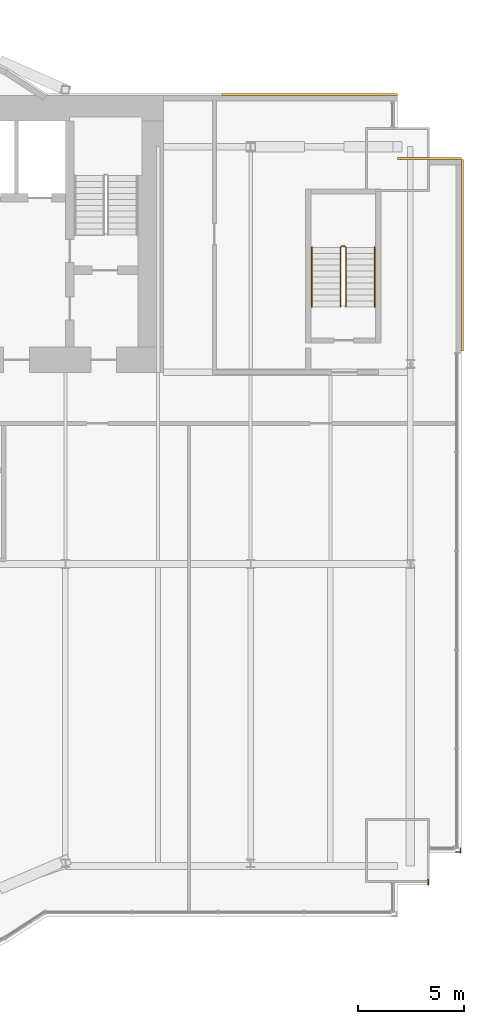
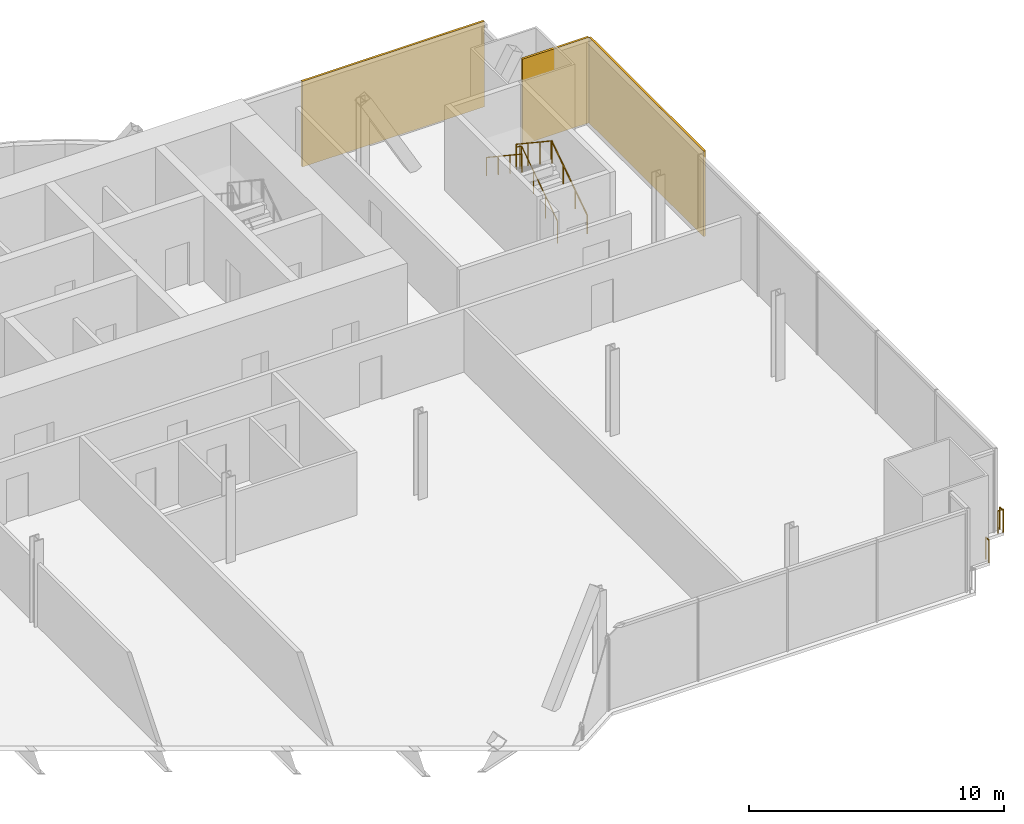
# One storey, part 21 of 21: 5 railings, 3 coverings.
"""IFC4 building model written with IfcOpenShell, lengths in metres."""

from ifc_helpers import new_model, si_unit, direction, frame, origin, origin_2d, place, context, subcontext, project, spatial, rectangle, circle, extrude, material, layer, layer_set, type_object, element, save


model = new_model("IFC4")

# Units and contexts
model_context = context("Model", 3, precision=1e-05, world=origin(), true_north=direction((0.0, 1.0)))
body_context = subcontext(model_context, "Body", "Model", "MODEL_VIEW")
ifc_project = project(units=[si_unit("LENGTHUNIT", "METRE"), si_unit("AREAUNIT", "SQUARE_METRE"), si_unit("VOLUMEUNIT", "CUBIC_METRE"), si_unit("PLANEANGLEUNIT", "RADIAN"), si_unit("MASSUNIT", "GRAM", prefix="KILO")], contexts=[model_context])

# Site, building, storey
site_placement = place(None, origin())
site = spatial("IfcSite", under=ifc_project, at=site_placement, CompositionType="ELEMENT")
building_placement = place(site_placement, origin())
building = spatial("IfcBuilding", under=site, at=building_placement, Name="Bicima Exchange Tower", CompositionType="ELEMENT")
storey_placement = place(building_placement, frame((0.0, 0.0, 98.10009765625)))
storey = spatial("IfcBuildingStorey", under=building, at=storey_placement, Name="L20", CompositionType="ELEMENT", Elevation=98.10009765625)

# Coverings
ifc_material_1 = material(Name="Bronze metal cladding")
ifc_layer_1 = layer(ifc_material_1, 0.004)
ifc_material_2 = material(Name="Ventilated cavity")
ifc_layer_2 = layer(ifc_material_2, 0.06)
ifc_material_3 = material(Name="Galvanised steel rail and mineral wool", Category="steel")
ifc_layer_3 = layer(ifc_material_3, 0.036)
ifc_layer_set = layer_set([ifc_layer_1, ifc_layer_2, ifc_layer_3], Name="Ventilated cavity")
covering_type = type_object("IfcCoveringType", Name="Bronze metal cladding panel 100", PredefinedType="CLADDING", material=ifc_layer_set)
covering_1_placement = place(storey_placement, frame((28.875, 0.050048828125, -0.150146484375), z_axis=(0.0, 0.0, 1.0), x_axis=(-1.0, 0.0, 0.0)))
element("IfcCovering", 1, at=covering_1_placement, inside=storey, type_object=covering_type, Name="Bronze cladding L20 1.1", PredefinedType="CLADDING", context=body_context, shape_type="SweptSolid", body=[
    extrude(rectangle(XDim=8.25, YDim=0.10009765625, at=origin_2d()), origin(), (0.0, 0.0, 1.0), 4.10009765625),
])
covering_2_placement = place(storey_placement, frame((36.050048828125, -7.5, -0.150146484375), z_axis=(0.0, 0.0, 1.0), x_axis=(0.0, 1.0, 0.0)))
element("IfcCovering", 2, at=covering_2_placement, inside=storey, type_object=covering_type, Name="Bronze cladding L20 50.1", PredefinedType="CLADDING", context=body_context, shape_type="SweptSolid", body=[
    extrude(rectangle(XDim=9.0, YDim=0.10009765625, at=origin_2d()), origin(), (0.0, 0.0, 1.0), 4.10009765625),
])
covering_3_placement = place(storey_placement, frame((34.5, -2.949951171875, -0.150146484375), z_axis=(0.0, 0.0, 1.0), x_axis=(-1.0, 0.0, 0.0)))
element("IfcCovering", 3, at=covering_3_placement, inside=storey, type_object=covering_type, Name="Bronze cladding L20 51.1", PredefinedType="CLADDING", context=body_context, shape_type="SweptSolid", body=[
    extrude(rectangle(XDim=3.0, YDim=0.10009765625, at=origin_2d()), origin(), (0.0, 0.0, 1.0), 4.10009765625),
])

# Railings
ifc_material_4 = material(Name="Stainless steel and bonded safety glass", Category="steel")
railing_type_1 = type_object("IfcRailingType", Name="Edge guard 1100", PredefinedType="GUARDRAIL", material=ifc_material_4)
railing_1_placement = place(storey_placement, frame((35.949951171875, -35.3349609375, 0.0)))
element("IfcRailing", 4, at=railing_1_placement, inside=storey, type_object=railing_type_1, Name="Edge guard L20 92", PredefinedType="GUARDRAIL", context=body_context, shape_type="SweptSolid", body=[
    extrude(circle(Radius=0.02392578125, at=origin_2d()), frame((0.0, 0.0, 1.076171875), z_axis=(0.0, -1.0, 0.0), x_axis=(1.0, 0.0, 0.0)), (0.0, 0.0, 1.0), 0.2490234375),
    extrude(circle(Radius=0.02392578125, at=origin_2d()), frame((0.0, -0.2490234375, 1.076171875), z_axis=(0.707106781187, 0.707106781187, 0.0), x_axis=(-0.707106781187, 0.707106781187, 0.0)), (0.0, 0.0, 1.0), 0.07080078125),
    extrude(circle(Radius=0.02392578125, at=origin_2d()), frame((0.050048828125, -0.198974609375, 1.076171875), z_axis=(-1.0, 0.0, 0.0), x_axis=(0.0, -1.0, 0.0)), (0.0, 0.0, 1.0), 0.25),
    extrude(circle(Radius=0.02099609375, at=origin_2d()), origin(), (0.0, 0.0, 1.0), 1.052001953125),
    extrude(circle(Radius=0.02099609375, at=origin_2d()), frame((0.0, -0.2490234375, 0.0)), (0.0, 0.0, 1.0), 1.052001953125),
    extrude(circle(Radius=0.02099609375, at=origin_2d()), frame((0.050048828125, -0.198974609375, 0.0)), (0.0, 0.0, 1.0), 1.052001953125),
    extrude(circle(Radius=0.02099609375, at=origin_2d()), frame((-0.199951171875, -0.198974609375, 0.0)), (0.0, 0.0, 1.0), 1.052001953125),
])
railing_2_placement = place(storey_placement, frame((34.449951171875, -36.833984375, 0.0)))
element("IfcRailing", 5, at=railing_2_placement, inside=storey, type_object=railing_type_1, Name="Edge guard L20 93", PredefinedType="GUARDRAIL", context=body_context, shape_type="SweptSolid", body=[
    extrude(circle(Radius=0.02392578125, at=origin_2d()), frame((0.0, 0.0, 1.076171875), z_axis=(0.0, -1.0, 0.0), x_axis=(1.0, 0.0, 0.0)), (0.0, 0.0, 1.0), 0.25),
    extrude(circle(Radius=0.02099609375, at=origin_2d()), origin(), (0.0, 0.0, 1.0), 1.052001953125),
    extrude(circle(Radius=0.02099609375, at=origin_2d()), frame((0.0, -0.25, 0.0)), (0.0, 0.0, 1.0), 1.052001953125),
])
ifc_material_5 = material(Name="Stainless steel", Category="steel")
railing_type_2 = type_object("IfcRailingType", Name="Stair guard 1100", PredefinedType="GUARDRAIL", material=ifc_material_5)
railing_3_placement = place(storey_placement, frame((30.574951171875, -9.925048828125, 0.186279296875)))
element("IfcRailing", 6, at=railing_3_placement, inside=storey, type_object=railing_type_2, Name="L20 ST-EE stair guard 1", PredefinedType="GUARDRAIL", context=body_context, shape_type="SweptSolid", body=[
    extrude(circle(Radius=0.02392578125, at=origin_2d()), frame((0.0, 0.0, 1.076171875), z_axis=(0.0, 0.832485552168, 0.554046753832), x_axis=(-1.0, 0.0, 0.0)), (0.0, 0.0, 1.0), 3.363525390625),
    extrude(circle(Radius=0.02392578125, at=origin_2d()), frame((0.0, 2.800048828125, 2.939453125), z_axis=(-0.707106781187, 0.707106781187, 0.0), x_axis=(-0.707106781187, -0.707106781187, 0.0)), (0.0, 0.0, 1.0), 0.07080078125),
    extrude(circle(Radius=0.02392578125, at=origin_2d()), frame((-0.050048828125, 2.85009765625, 2.939453125), z_axis=(-1.0, 0.0, 0.0), x_axis=(0.0, -1.0, 0.0)), (0.0, 0.0, 1.0), 0.14990234375),
    extrude(circle(Radius=0.02392578125, at=origin_2d()), frame((-0.199951171875, 2.85009765625, 2.939453125), z_axis=(-0.250869701741, -0.250869701741, 0.934948546978), x_axis=(0.707106781187, -0.707106781187, 0.0)), (0.0, 0.0, 1.0), 0.199462890625),
    extrude(circle(Radius=0.02392578125, at=origin_2d()), frame((-0.25, 2.800048828125, 3.1259765625), z_axis=(0.0, -0.832485552168, 0.554046753832), x_axis=(1.0, 0.0, 0.0)), (0.0, 0.0, 1.0), 3.363525390625),
    extrude(circle(Radius=0.02099609375, at=origin_2d()), origin(), (0.0, 0.0, 1.0), 1.052001953125),
    extrude(circle(Radius=0.02099609375, at=origin_2d()), frame((0.0, 0.933349609375, 0.62109375)), (0.0, 0.0, 1.0), 1.052001953125),
    extrude(circle(Radius=0.02099609375, at=origin_2d()), frame((0.0, 1.86669921875, 1.242431640625)), (0.0, 0.0, 1.0), 1.052001953125),
    extrude(circle(Radius=0.02099609375, at=origin_2d()), frame((0.0, 2.800048828125, 1.863525390625)), (0.0, 0.0, 1.0), 1.052001953125),
    extrude(circle(Radius=0.02099609375, at=origin_2d()), frame((-0.050048828125, 2.85009765625, 1.863525390625)), (0.0, 0.0, 1.0), 1.052001953125),
    extrude(circle(Radius=0.02099609375, at=origin_2d()), frame((-0.199951171875, 2.85009765625, 1.863525390625)), (0.0, 0.0, 1.0), 1.052001953125),
    extrude(circle(Radius=0.02099609375, at=origin_2d()), frame((-0.25, 2.800048828125, 2.050048828125)), (0.0, 0.0, 1.0), 1.052001953125),
    extrude(circle(Radius=0.02099609375, at=origin_2d()), frame((-0.25, 1.86669921875, 2.671142578125)), (0.0, 0.0, 1.0), 1.052001953125),
    extrude(circle(Radius=0.02099609375, at=origin_2d()), frame((-0.25, 0.933349609375, 3.29248046875)), (0.0, 0.0, 1.0), 1.052001953125),
    extrude(circle(Radius=0.02099609375, at=origin_2d()), frame((-0.25, 0.0, 3.91357421875)), (0.0, 0.0, 1.0), 1.052001953125),
])
railing_type_3 = type_object("IfcRailingType", Name="Stair handrail 900", PredefinedType="HANDRAIL", material=ifc_material_5)
railing_4_placement = place(storey_placement, frame((31.925048828125, -9.925048828125, 0.186279296875)))
element("IfcRailing", 7, at=railing_4_placement, inside=storey, type_object=railing_type_3, Name="L20 ST-EE stair handrail 1", PredefinedType="HANDRAIL", context=body_context, shape_type="SweptSolid", body=[
    extrude(circle(Radius=0.02392578125, at=origin_2d()), frame((0.0, 0.0, 0.8759765625), z_axis=(0.0, 0.832485552168, 0.554046753832), x_axis=(-1.0, 0.0, 0.0)), (0.0, 0.0, 1.0), 3.363525390625),
    extrude(circle(Radius=0.02099609375, at=origin_2d()), origin(), (0.0, 0.0, 1.0), 0.851806640625),
    extrude(circle(Radius=0.02099609375, at=origin_2d()), frame((0.0, 0.933349609375, 0.62109375)), (0.0, 0.0, 1.0), 0.851806640625),
    extrude(circle(Radius=0.02099609375, at=origin_2d()), frame((0.0, 1.86669921875, 1.242431640625)), (0.0, 0.0, 1.0), 0.851806640625),
    extrude(circle(Radius=0.02099609375, at=origin_2d()), frame((0.0, 2.800048828125, 1.863525390625)), (0.0, 0.0, 1.0), 0.851806640625),
])
railing_5_placement = place(storey_placement, frame((28.97509765625, -7.125, 2.276611328125)))
element("IfcRailing", 8, at=railing_5_placement, inside=storey, type_object=railing_type_3, Name="L20 ST-EE stair handrail 2", PredefinedType="HANDRAIL", context=body_context, shape_type="SweptSolid", body=[
    extrude(circle(Radius=0.02392578125, at=origin_2d()), frame((0.0, 0.0, 0.8759765625), z_axis=(0.0, -0.832452072856, 0.554097055034), x_axis=(1.0, 0.0, 0.0)), (0.0, 0.0, 1.0), 3.363525390625),
    extrude(circle(Radius=0.02099609375, at=origin_2d()), origin(), (0.0, 0.0, 1.0), 0.851806640625),
    extrude(circle(Radius=0.02099609375, at=origin_2d()), frame((0.0, -0.933349609375, 0.621337890625)), (0.0, 0.0, 1.0), 0.851806640625),
    extrude(circle(Radius=0.02099609375, at=origin_2d()), frame((0.0, -1.86669921875, 1.242431640625)), (0.0, 0.0, 1.0), 0.851806640625),
    extrude(circle(Radius=0.02099609375, at=origin_2d()), frame((0.0, -2.800048828125, 1.86376953125)), (0.0, 0.0, 1.0), 0.851806640625),
])

save(model, "model.ifc")
